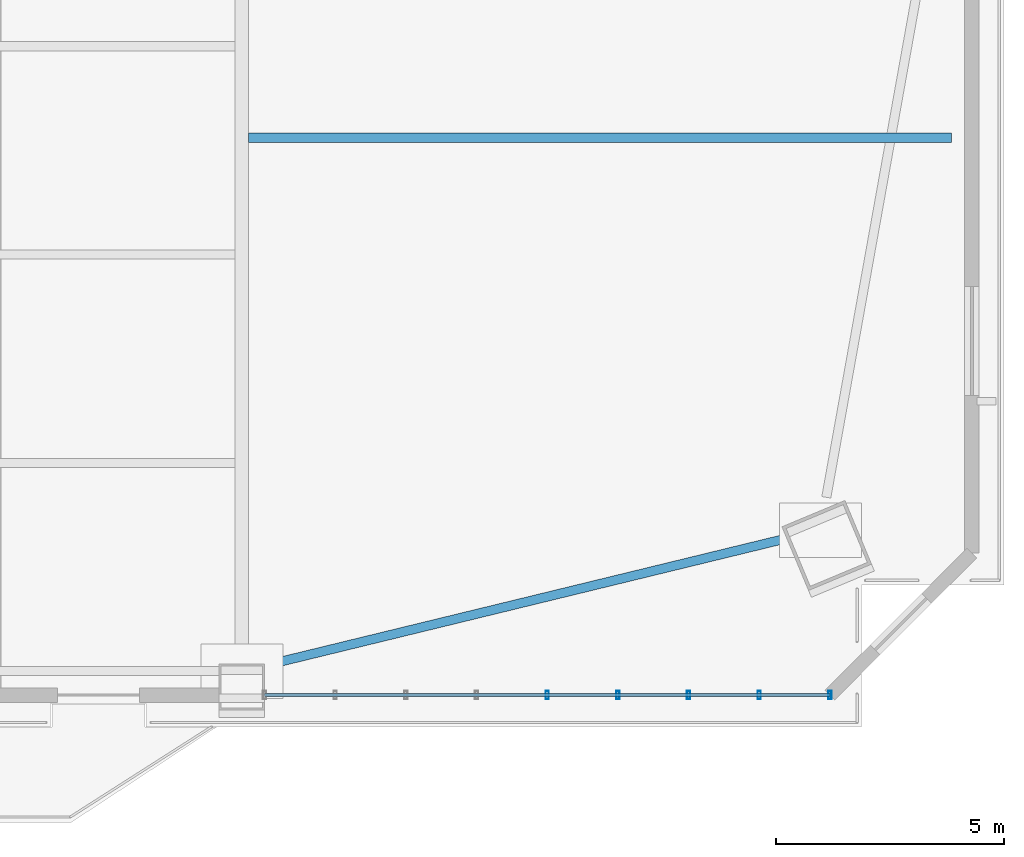
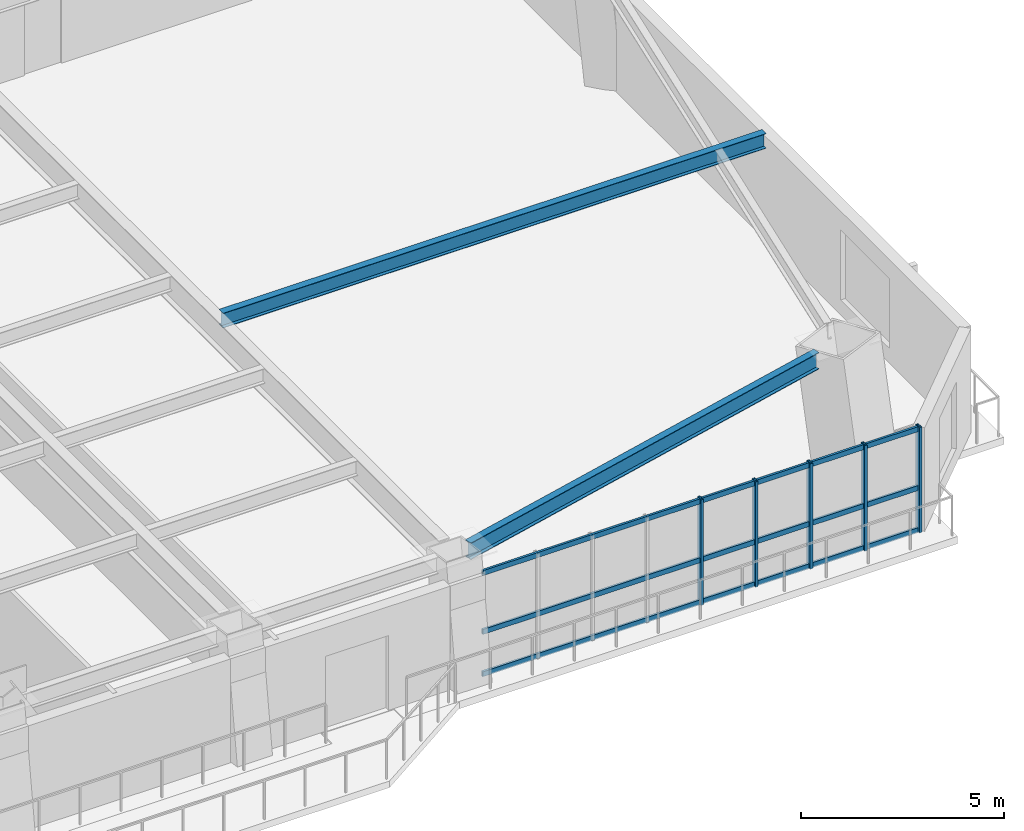
# One storey, part 7 of 18: 8 members, 2 beams, 1 element without a shape of its own.
"""IFC4 building model written with IfcOpenShell, lengths in metres."""

from ifc_helpers import new_model, si_unit, direction, frame, origin, origin_2d, place, context, subcontext, project, spatial, hollow_rectangle, i_section, extrude, source, transform, mapped, material, layer, layer_set, material_profile, profile_set, type_object, element, aggregate, save


model = new_model("IFC4")

# Units and contexts
model_context = context("Model", 3, precision=1e-05, world=origin(), true_north=direction((0.0, 1.0)))
body_context = subcontext(model_context, "Body", "Model", "MODEL_VIEW")
ifc_project = project(units=[si_unit("LENGTHUNIT", "METRE"), si_unit("AREAUNIT", "SQUARE_METRE"), si_unit("VOLUMEUNIT", "CUBIC_METRE"), si_unit("PLANEANGLEUNIT", "RADIAN"), si_unit("MASSUNIT", "GRAM", prefix="KILO")], contexts=[model_context])

# Site, building, storey
site_placement = place(None, origin())
site = spatial("IfcSite", under=ifc_project, at=site_placement, CompositionType="ELEMENT")
building_placement = place(site_placement, origin())
building = spatial("IfcBuilding", under=site, at=building_placement, Name="Giltprow Tower", CompositionType="ELEMENT")
storey_placement = place(building_placement, frame((0.0, 0.0, 68.89990234375)))
storey = spatial("IfcBuildingStorey", under=building, at=storey_placement, Name="L17", CompositionType="ELEMENT", Elevation=68.89990234375)

# Beams
ifc_material_1 = material(Name="Structural steel Q355B", Category="steel")
ifc_material_profile_1 = material_profile(ifc_material_1, i_section(OverallWidth=0.199951171875, OverallDepth=0.5, WebThickness=0.010009765625, FlangeThickness=0.01611328125, at=origin_2d()), Name="HN 500x200x10x16")
ifc_profile_set_1 = profile_set([ifc_material_profile_1], Name="Structural steel Q355B")
beam_type_1 = type_object("IfcBeamType", Name="BM-SPAN-HN500", PredefinedType="SPANDREL", material=ifc_profile_set_1)
shared_shape_1 = source(origin(), body_context, "Body", "SweptSolid", [
    extrude(i_section(OverallWidth=0.199951171875, OverallDepth=0.5, WebThickness=0.010009765625, FlangeThickness=0.01611328125, at=origin_2d()), origin(), (0.0, 0.0, 1.0), 11.866943359375),
])
beam_1_placement = place(storey_placement, frame((51.02099609375, 5.52392578125, 3.39013671875), z_axis=(0.971618674486, 0.236552639787, 0.0), x_axis=(-0.236552639787, 0.971618674486, 0.0)))
element("IfcBeam", 1, at=beam_1_placement, inside=storey, type_object=beam_type_1, Name="L17 Perimeter Spandrel Beam S4-MC_SE", PredefinedType="SPANDREL", context=body_context, shape_type="MappedRepresentation", body=[
    mapped(shared_shape_1, transform((0.0, 0.0, 0.0), x_axis=(1.0, 0.0, 0.0), y_axis=(0.0, 1.0, 0.0), z_axis=(0.0, 0.0, 1.0), scale=1.0)),
])
ifc_material_profile_2 = material_profile(ifc_material_1, i_section(OverallWidth=0.199951171875, OverallDepth=0.449951171875, WebThickness=0.009033203125, FlangeThickness=0.013916015625, at=origin_2d()), Name="HN 450x200x9x14")
ifc_profile_set_2 = profile_set([ifc_material_profile_2], Name="Structural steel Q355B")
beam_type_2 = type_object("IfcBeamType", Name="BM-JOIST-HN450", PredefinedType="JOIST", material=ifc_profile_set_2)
shared_shape_2 = source(origin(), body_context, "Body", "SweptSolid", [
    extrude(i_section(OverallWidth=0.199951171875, OverallDepth=0.449951171875, WebThickness=0.009033203125, FlangeThickness=0.013916015625, at=origin_2d()), origin(), (0.0, 0.0, 1.0), 15.446044921875),
])
beam_2_placement = place(storey_placement, frame((50.695068359375, 17.1298828125, 3.4150390625), z_axis=(1.0, 0.0, 0.0), x_axis=(0.0, 1.0, 0.0)))
element("IfcBeam", 2, at=beam_2_placement, inside=storey, type_object=beam_type_2, Name="L17 East Wing Floor Joist 1", PredefinedType="JOIST", context=body_context, shape_type="MappedRepresentation", body=[
    mapped(shared_shape_2, transform((0.0, 0.0, 0.0), x_axis=(1.0, 0.0, 0.0), y_axis=(0.0, 1.0, 0.0), z_axis=(0.0, 0.0, 1.0), scale=1.0)),
])

# Curtain wall, members
ifc_material_2 = material(Name="Anodized bronze", Category="metal")
ifc_layer = layer(ifc_material_2, 0.179931640625, Name="Anodized bronze")
ifc_layer_set = layer_set([ifc_layer], Name="Anodized bronze")
curtain_wall_type = type_object("IfcCurtainWallType", Name="CW-OFF-RECESSED", PredefinedType="NOTDEFINED", material=ifc_layer_set)
curtain_wall_placement = place(storey_placement, origin())
curtain_wall = element("IfcCurtainWall", 3, at=curtain_wall_placement, inside=storey, type_object=curtain_wall_type, Name="L17 South Recessed Curtain Wall 6", PredefinedType="NOTDEFINED")
ifc_material_profile_3 = material_profile(ifc_material_2, hollow_rectangle(XDim=0.06494140625, YDim=0.14990234375, WallThickness=0.006103515625, at=origin_2d()), Name="RHS 150x65x6")
ifc_profile_set_3 = profile_set([ifc_material_profile_3], Name="Anodized bronze")
member_type_1 = type_object("IfcMemberType", Name="CW-TRANSOM-150x65", PredefinedType="USERDEFINED", material=ifc_profile_set_3)
shared_shape_3 = source(origin(), body_context, "Body", "SweptSolid", [
    extrude(hollow_rectangle(XDim=0.06494140625, YDim=0.14990234375, WallThickness=0.006103515625, at=origin_2d()), origin(), (0.0, 0.0, 1.0), 12.424072265625),
])
member_1_placement = place(storey_placement, frame((51.050048828125, 4.882080078125, 0.0400390625), z_axis=(1.0, 0.0, 0.0), x_axis=(0.0, 1.0, 0.0)))
member_1 = element("IfcMember", 4, at=member_1_placement, type_object=member_type_1, Name="L17 South Recessed Curtain Wall 6 Transom 1", ObjectType="TRANSOM", PredefinedType="USERDEFINED", context=body_context, shape_type="MappedRepresentation", body=[
    mapped(shared_shape_3, transform((0.0, 0.0, 0.0), x_axis=(1.0, 0.0, 0.0), y_axis=(0.0, 1.0, 0.0), z_axis=(0.0, 0.0, 1.0), scale=1.0)),
])
member_2_placement = place(storey_placement, frame((51.050048828125, 4.882080078125, 1.31005859375), z_axis=(1.0, 0.0, 0.0), x_axis=(0.0, 1.0, 0.0)))
member_2 = element("IfcMember", 5, at=member_2_placement, type_object=member_type_1, Name="L17 South Recessed Curtain Wall 6 Transom 2", ObjectType="TRANSOM", PredefinedType="USERDEFINED", context=body_context, shape_type="MappedRepresentation", body=[
    mapped(shared_shape_3, transform((0.0, 0.0, 0.0), x_axis=(1.0, 0.0, 0.0), y_axis=(0.0, 1.0, 0.0), z_axis=(0.0, 0.0, 1.0), scale=1.0)),
])
member_3_placement = place(storey_placement, frame((51.050048828125, 4.882080078125, 3.080078125), z_axis=(1.0, 0.0, 0.0), x_axis=(0.0, 1.0, 0.0)))
member_3 = element("IfcMember", 6, at=member_3_placement, type_object=member_type_1, Name="L17 South Recessed Curtain Wall 6 Transom 3", ObjectType="TRANSOM", PredefinedType="USERDEFINED", context=body_context, shape_type="MappedRepresentation", body=[
    mapped(shared_shape_3, transform((0.0, 0.0, 0.0), x_axis=(1.0, 0.0, 0.0), y_axis=(0.0, 1.0, 0.0), z_axis=(0.0, 0.0, 1.0), scale=1.0)),
])
ifc_material_profile_4 = material_profile(ifc_material_2, hollow_rectangle(XDim=0.074951171875, YDim=0.179931640625, WallThickness=0.008056640625, at=origin_2d()), Name="RHS 180x75x8")
ifc_profile_set_4 = profile_set([ifc_material_profile_4], Name="Anodized bronze")
member_type_2 = type_object("IfcMemberType", Name="CW-MULLION-180x75", PredefinedType="MULLION", material=ifc_profile_set_4)
shared_shape_4 = source(origin(), body_context, "Body", "SweptSolid", [
    extrude(hollow_rectangle(XDim=0.074951171875, YDim=0.179931640625, WallThickness=0.008056640625, at=origin_2d()), origin(), (0.0, 0.0, 1.0), 3.175048828125),
])
member_4_placement = place(storey_placement, frame((57.261962890625, 4.882080078125, -0.02001953125), z_axis=(0.0, 0.0, 1.0), x_axis=(1.0, 0.0, 0.0)))
member_4 = element("IfcMember", 7, at=member_4_placement, type_object=member_type_2, Name="L17 South Recessed Curtain Wall 6 Mullion 5", PredefinedType="MULLION", context=body_context, shape_type="MappedRepresentation", body=[
    mapped(shared_shape_4, transform((0.0, 0.0, 0.0), x_axis=(1.0, 0.0, 0.0), y_axis=(0.0, 1.0, 0.0), z_axis=(0.0, 0.0, 1.0), scale=1.0)),
])
member_5_placement = place(storey_placement, frame((58.81494140625, 4.882080078125, -0.02001953125), z_axis=(0.0, 0.0, 1.0), x_axis=(1.0, 0.0, 0.0)))
member_5 = element("IfcMember", 8, at=member_5_placement, type_object=member_type_2, Name="L17 South Recessed Curtain Wall 6 Mullion 6", PredefinedType="MULLION", context=body_context, shape_type="MappedRepresentation", body=[
    mapped(shared_shape_4, transform((0.0, 0.0, 0.0), x_axis=(1.0, 0.0, 0.0), y_axis=(0.0, 1.0, 0.0), z_axis=(0.0, 0.0, 1.0), scale=1.0)),
])
member_6_placement = place(storey_placement, frame((60.367919921875, 4.882080078125, -0.02001953125), z_axis=(0.0, 0.0, 1.0), x_axis=(1.0, 0.0, 0.0)))
member_6 = element("IfcMember", 9, at=member_6_placement, type_object=member_type_2, Name="L17 South Recessed Curtain Wall 6 Mullion 7", PredefinedType="MULLION", context=body_context, shape_type="MappedRepresentation", body=[
    mapped(shared_shape_4, transform((0.0, 0.0, 0.0), x_axis=(1.0, 0.0, 0.0), y_axis=(0.0, 1.0, 0.0), z_axis=(0.0, 0.0, 1.0), scale=1.0)),
])
member_7_placement = place(storey_placement, frame((61.9208984375, 4.882080078125, -0.02001953125), z_axis=(0.0, 0.0, 1.0), x_axis=(1.0, 0.0, 0.0)))
member_7 = element("IfcMember", 10, at=member_7_placement, type_object=member_type_2, Name="L17 South Recessed Curtain Wall 6 Mullion 8", PredefinedType="MULLION", context=body_context, shape_type="MappedRepresentation", body=[
    mapped(shared_shape_4, transform((0.0, 0.0, 0.0), x_axis=(1.0, 0.0, 0.0), y_axis=(0.0, 1.0, 0.0), z_axis=(0.0, 0.0, 1.0), scale=1.0)),
])
member_8_placement = place(storey_placement, frame((63.47412109375, 4.882080078125, -0.02001953125), z_axis=(0.0, 0.0, 1.0), x_axis=(1.0, 0.0, 0.0)))
member_8 = element("IfcMember", 11, at=member_8_placement, type_object=member_type_2, Name="L17 South Recessed Curtain Wall 6 Mullion 9", PredefinedType="MULLION", context=body_context, shape_type="MappedRepresentation", body=[
    mapped(shared_shape_4, transform((0.0, 0.0, 0.0), x_axis=(1.0, 0.0, 0.0), y_axis=(0.0, 1.0, 0.0), z_axis=(0.0, 0.0, 1.0), scale=1.0)),
])
aggregate(curtain_wall, [member_4, member_5, member_6, member_7, member_8, member_1, member_2, member_3])

save(model, "model.ifc")
